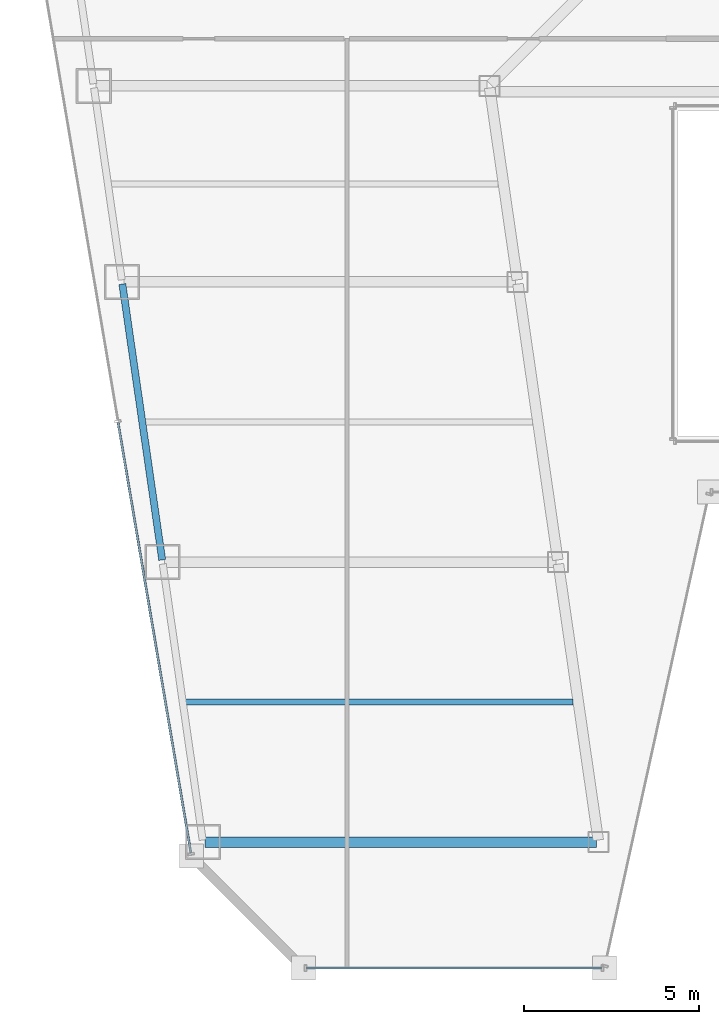
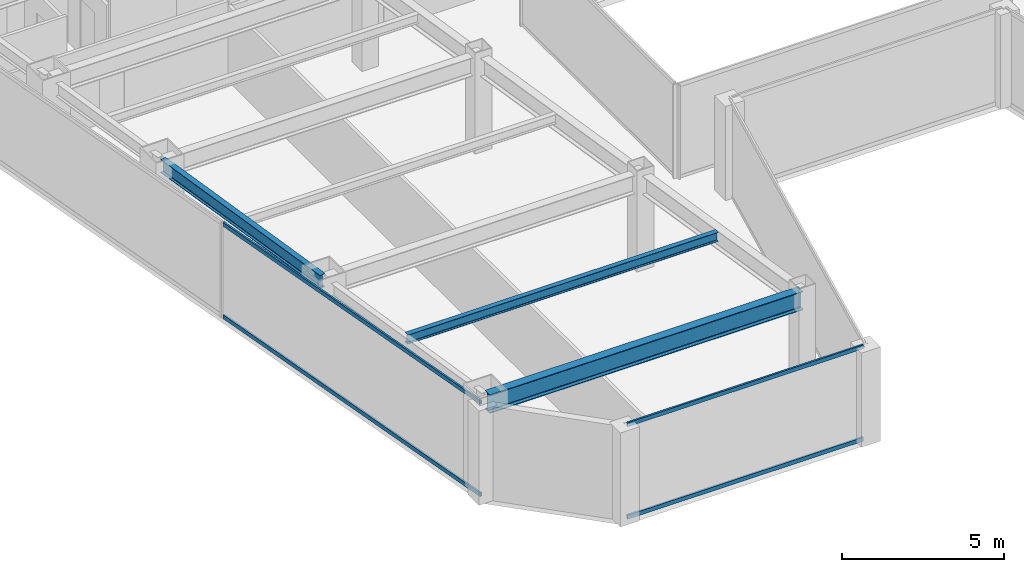
# One storey, part 3 of 36: 4 members, 3 beams, 2 elements without a shape of their own.
"""IFC4 building model written with IfcOpenShell, lengths in metres."""

from ifc_helpers import new_model, si_unit, direction, frame, origin, origin_2d, place, context, subcontext, project, spatial, hollow_rectangle, i_section, extrude, material, material_profile, profile_set, type_object, element, aggregate, save


model = new_model("IFC4")

# Units and contexts
model_context = context("Model", 3, precision=1e-05, world=origin(), true_north=direction((0.0, 1.0)))
body_context = subcontext(model_context, "Body", "Model", "MODEL_VIEW")
ifc_project = project(units=[si_unit("LENGTHUNIT", "METRE"), si_unit("AREAUNIT", "SQUARE_METRE"), si_unit("VOLUMEUNIT", "CUBIC_METRE"), si_unit("PLANEANGLEUNIT", "RADIAN"), si_unit("MASSUNIT", "GRAM", prefix="KILO")], contexts=[model_context])

# Site, building, storey
site_placement = place(None, origin())
site = spatial("IfcSite", under=ifc_project, at=site_placement, CompositionType="ELEMENT")
building_placement = place(site_placement, origin())
building = spatial("IfcBuilding", under=site, at=building_placement, Name="Saevonmaru Cultural Tower", CompositionType="ELEMENT")
storey_placement = place(building_placement, frame((0.0, 0.0, 171.39990234375)))
storey = spatial("IfcBuildingStorey", under=building, at=storey_placement, Name="L38", CompositionType="ELEMENT", Elevation=171.39990234375)

# Beams
ifc_material_1 = material(Name="Steel SM355", Category="steel")
ifc_material_profile_1 = material_profile(ifc_material_1, i_section(OverallWidth=0.300048828125, OverallDepth=0.699951171875, WebThickness=0.012939453125, FlangeThickness=0.02392578125, FilletRadius=0.02587890625, at=origin_2d()), Name="H-700x300x13x24")
ifc_profile_set_1 = profile_set([ifc_material_profile_1], Name="Steel SM355")
beam_type_1 = type_object("IfcBeamType", Name="BM-G-H700", PredefinedType="BEAM", material=ifc_profile_set_1)
beam_1_placement = place(storey_placement, frame((10.68798828125, 16.0, 3.2001953125), z_axis=(1.0, 0.0, 0.0), x_axis=(0.0, 1.0, 0.0)))
element("IfcBeam", 1, at=beam_1_placement, inside=storey, type_object=beam_type_1, Name="L38 West Wing Transverse Girder 1", PredefinedType="BEAM", context=body_context, shape_type="SweptSolid", body=[
    extrude(i_section(OverallWidth=0.300048828125, OverallDepth=0.699951171875, WebThickness=0.012939453125, FlangeThickness=0.02392578125, FilletRadius=0.02587890625, at=origin_2d()), origin(), (0.0, 0.0, 1.0), 11.179931640625),
])
ifc_material_profile_2 = material_profile(ifc_material_1, i_section(OverallWidth=0.175048828125, OverallDepth=0.35009765625, WebThickness=0.007080078125, FlangeThickness=0.010986328125, FilletRadius=0.012939453125, at=origin_2d()), Name="H-350x175x7x11")
ifc_profile_set_2 = profile_set([ifc_material_profile_2], Name="Steel SM355")
beam_type_2 = type_object("IfcBeamType", Name="BM-J-H350", PredefinedType="JOIST", material=ifc_profile_set_2)
beam_2_placement = place(storey_placement, frame((10.110107421875, 20.0, 3.375), z_axis=(1.0, 0.0, 0.0), x_axis=(0.0, 1.0, 0.0)))
element("IfcBeam", 2, at=beam_2_placement, inside=storey, type_object=beam_type_2, Name="L38 West Wing Floor Joist 1", PredefinedType="JOIST", context=body_context, shape_type="SweptSolid", body=[
    extrude(i_section(OverallWidth=0.175048828125, OverallDepth=0.35009765625, WebThickness=0.007080078125, FlangeThickness=0.010986328125, FilletRadius=0.012939453125, at=origin_2d()), origin(), (0.0, 0.0, 1.0), 11.081787109375),
])
ifc_material_profile_3 = material_profile(ifc_material_1, i_section(OverallWidth=0.199951171875, OverallDepth=0.5, WebThickness=0.010009765625, FlangeThickness=0.01611328125, FilletRadius=0.02001953125, at=origin_2d()), Name="H-500x200x10x16")
ifc_profile_set_3 = profile_set([ifc_material_profile_3], Name="Steel SM355")
beam_type_3 = type_object("IfcBeamType", Name="BM-SP-H500", PredefinedType="SPANDREL", material=ifc_profile_set_3)
beam_3_placement = place(storey_placement, frame((9.46337890625, 24.059326171875, 3.300048828125), z_axis=(-0.142871999001, 0.989741174197, 0.0), x_axis=(-0.989741174197, -0.142871999001, 0.0)))
element("IfcBeam", 3, at=beam_3_placement, inside=storey, type_object=beam_type_3, Name="L38 West Splayed Spandrel 2", PredefinedType="SPANDREL", context=body_context, shape_type="SweptSolid", body=[
    extrude(i_section(OverallWidth=0.199951171875, OverallDepth=0.5, WebThickness=0.010009765625, FlangeThickness=0.01611328125, FilletRadius=0.02001953125, at=origin_2d()), origin(), (0.0, 0.0, 1.0), 7.963134765625),
])

# Curtain wall, members
ifc_material_2 = material(Name="Satin Bronze Anodised Aluminium", Category="aluminium")
curtain_wall_type = type_object("IfcCurtainWallType", Name="CW-TYP-A", PredefinedType="NOTDEFINED", material=ifc_material_2)
curtain_wall_1_placement = place(storey_placement, origin())
curtain_wall_1 = element("IfcCurtainWall", 4, at=curtain_wall_1_placement, inside=storey, type_object=curtain_wall_type, Name="L38 Unitised Curtain Wall E2", PredefinedType="NOTDEFINED")
ifc_material_profile_4 = material_profile(ifc_material_2, hollow_rectangle(XDim=0.06494140625, YDim=0.14990234375, WallThickness=0.00390625, at=origin_2d()), Name="ALU-TRAN-150x65x4")
ifc_profile_set_4 = profile_set([ifc_material_profile_4], Name="Satin Bronze Anodised Aluminium")
member_type = type_object("IfcMemberType", Name="TR-CW-150x65", PredefinedType="USERDEFINED", material=ifc_profile_set_4)
member_1_placement = place(storey_placement, frame((13.59033203125, 12.39990234375, 0.03271484375), z_axis=(1.0, 0.0, 0.0), x_axis=(0.0, 1.0, 0.0)))
member_1 = element("IfcMember", 5, at=member_1_placement, type_object=member_type, Name="CW-TW-L38-E2 transom 1.1", ObjectType="TRANSOM", PredefinedType="USERDEFINED", context=body_context, shape_type="SweptSolid", body=[
    extrude(hollow_rectangle(XDim=0.06494140625, YDim=0.14990234375, WallThickness=0.00390625, at=origin_2d()), origin(), (0.0, 0.0, 1.0), 8.4150390625),
])
member_2_placement = place(storey_placement, frame((13.59033203125, 12.39990234375, 3.517578125), z_axis=(1.0, 0.0, 0.0), x_axis=(0.0, 1.0, 0.0)))
member_2 = element("IfcMember", 6, at=member_2_placement, type_object=member_type, Name="CW-TW-L38-E2 transom 1.2", ObjectType="TRANSOM", PredefinedType="USERDEFINED", context=body_context, shape_type="SweptSolid", body=[
    extrude(hollow_rectangle(XDim=0.06494140625, YDim=0.14990234375, WallThickness=0.00390625, at=origin_2d()), origin(), (0.0, 0.0, 1.0), 8.4150390625),
])
aggregate(curtain_wall_1, [member_1, member_2])

curtain_wall_2_placement = place(storey_placement, origin())
curtain_wall_2 = element("IfcCurtainWall", 7, at=curtain_wall_2_placement, inside=storey, type_object=curtain_wall_type, Name="L38 Unitised Curtain Wall E12", PredefinedType="NOTDEFINED")
member_3_placement = place(storey_placement, frame((8.20068359375, 27.98779296875, 0.03271484375), z_axis=(0.166922129366, -0.985970082065, 0.0), x_axis=(0.985970082065, 0.166922129366, 0.0)))
member_3 = element("IfcMember", 8, at=member_3_placement, type_object=member_type, Name="CW-TW-L38-E12 transom 3.1", ObjectType="TRANSOM", PredefinedType="USERDEFINED", context=body_context, shape_type="SweptSolid", body=[
    extrude(hollow_rectangle(XDim=0.06494140625, YDim=0.14990234375, WallThickness=0.00390625, at=origin_2d()), origin(), (0.0, 0.0, 1.0), 12.4716796875),
])
member_4_placement = place(storey_placement, frame((8.20068359375, 27.98779296875, 3.517578125), z_axis=(0.166922129366, -0.985970082065, 0.0), x_axis=(0.985970082065, 0.166922129366, 0.0)))
member_4 = element("IfcMember", 9, at=member_4_placement, type_object=member_type, Name="CW-TW-L38-E12 transom 3.2", ObjectType="TRANSOM", PredefinedType="USERDEFINED", context=body_context, shape_type="SweptSolid", body=[
    extrude(hollow_rectangle(XDim=0.06494140625, YDim=0.14990234375, WallThickness=0.00390625, at=origin_2d()), origin(), (0.0, 0.0, 1.0), 12.4716796875),
])
aggregate(curtain_wall_2, [member_3, member_4])

save(model, "model.ifc")
